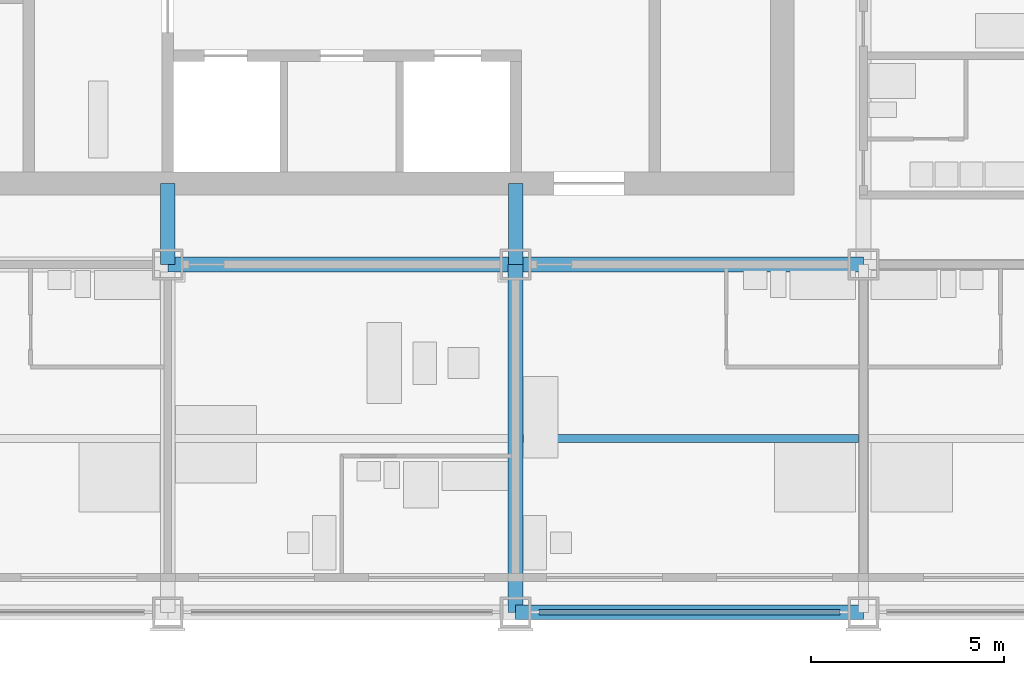
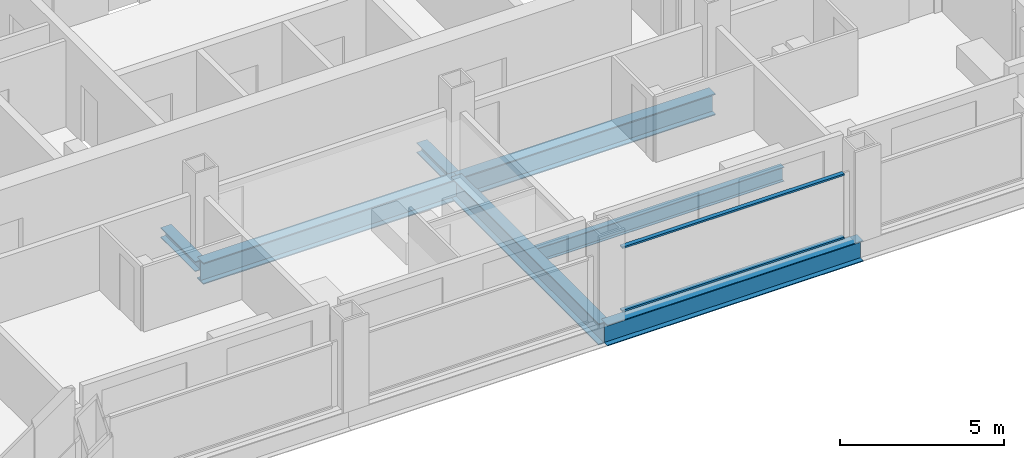
# One storey, part 3 of 13: 5 beams, 4 members, 1 element without a shape of its own.
"""IFC4 building model written with IfcOpenShell, lengths in metres."""

from ifc_helpers import new_model, si_unit, direction, frame, origin, origin_2d, place, context, subcontext, project, spatial, rectangle, i_section, extrude, material, material_profile, profile_set, type_object, element, aggregate, save


model = new_model("IFC4")

# Units and contexts
model_context = context("Model", 3, precision=1e-05, world=origin(), true_north=direction((0.0, 1.0)))
body_context = subcontext(model_context, "Body", "Model", "MODEL_VIEW")
ifc_project = project(units=[si_unit("LENGTHUNIT", "METRE"), si_unit("AREAUNIT", "SQUARE_METRE"), si_unit("VOLUMEUNIT", "CUBIC_METRE"), si_unit("PLANEANGLEUNIT", "RADIAN"), si_unit("MASSUNIT", "GRAM", prefix="KILO")], contexts=[model_context])

# Site, building, storey
site_placement = place(None, origin())
site = spatial("IfcSite", under=ifc_project, at=site_placement, CompositionType="ELEMENT")
building_placement = place(site_placement, origin())
building = spatial("IfcBuilding", under=site, at=building_placement, Name="Loomwork Tower", CompositionType="ELEMENT")
storey_placement = place(building_placement, frame((0.0, 0.0, 174.0)))
storey = spatial("IfcBuildingStorey", under=building, at=storey_placement, Name="L47", CompositionType="ELEMENT", Elevation=174.0)

# Beams
ifc_material_1 = material(Name="Steel ASTM A992", Category="steel")
ifc_material_profile_1 = material_profile(ifc_material_1, i_section(OverallWidth=0.383544921875, OverallDepth=0.794921875, WebThickness=0.02099609375, FlangeThickness=0.0380859375, at=origin_2d()), Name="W30x235")
ifc_profile_set_1 = profile_set([ifc_material_profile_1], Name="Steel ASTM A992")
beam_type_1 = type_object("IfcBeamType", Name="CORE FLANK GIRDER W30x235", PredefinedType="BEAM", material=ifc_profile_set_1)
for number, where, z_axis, x_axis, name in (
    (1, (18.0, 9.0, -0.597412109375), (1.0, 0.0, 0.0), (0.0, 1.0, 0.0), "Core Flank Girder E/4-E/5 L47"),
    (2, (27.0, 9.0, -0.597412109375), (1.0, 0.0, 0.0), (0.0, 1.0, 0.0), "Core Flank Girder E/5-E/6 L47"),
    (3, (27.0, 0.0, -0.597412109375), (0.0, 1.0, 0.0), (-1.0, 0.0, 0.0), "Core Flank Girder D/5-E/5 L47"),
):
    element("IfcBeam", number, at=place(storey_placement, frame(where, z_axis=z_axis, x_axis=x_axis)), inside=storey, type_object=beam_type_1, Name=name, PredefinedType="BEAM", context=body_context, shape_type="SweptSolid", body=[
        extrude(i_section(OverallWidth=0.383544921875, OverallDepth=0.794921875, WebThickness=0.02099609375, FlangeThickness=0.0380859375, at=origin_2d()), origin(), (0.0, 0.0, 1.0), 9.0),
    ])

# Members
ifc_material_2 = material(Name="Steel ASTM A992", Category="steel")
ifc_material_profile_2 = material_profile(ifc_material_2, i_section(OverallWidth=0.373291015625, OverallDepth=0.373291015625, WebThickness=0.016357421875, FlangeThickness=0.026123046875, at=origin_2d()), Name="W14x132")
ifc_profile_set_2 = profile_set([ifc_material_profile_2], Name="Steel ASTM A992")
member_type_1 = type_object("IfcMemberType", Name="CORE LINK STRUT W14x132", PredefinedType="STRUT", material=ifc_profile_set_2)
for number, where, z_axis, x_axis, name in (
    (4, (27.0, 9.0, -0.38671875), (0.0, 1.0, 0.0), (-1.0, 0.0, 0.0), "Core link strut E/5-27.000,11.100 L47"),
    (5, (18.0, 9.0, -0.38671875), (0.0, 1.0, 0.0), (-1.0, 0.0, 0.0), "Core link strut E/4-18.000,11.100 L47"),
):
    element("IfcMember", number, at=place(storey_placement, frame(where, z_axis=z_axis, x_axis=x_axis)), inside=storey, type_object=member_type_1, Name=name, PredefinedType="STRUT", context=body_context, shape_type="SweptSolid", body=[
        extrude(i_section(OverallWidth=0.373291015625, OverallDepth=0.373291015625, WebThickness=0.016357421875, FlangeThickness=0.026123046875, at=origin_2d()), origin(), (0.0, 0.0, 1.0), 2.10009765625),
    ])

# Beam
ifc_material_3 = material(Name="Steel ASTM A992", Category="steel")
ifc_material_profile_3 = material_profile(ifc_material_3, i_section(OverallWidth=0.2109375, OverallDepth=0.53857421875, WebThickness=0.011474609375, FlangeThickness=0.018798828125, at=origin_2d()), Name="W21x73")
ifc_profile_set_3 = profile_set([ifc_material_profile_3], Name="Steel ASTM A992")
beam_type_2 = type_object("IfcBeamType", Name="FLOOR JOIST W21x73", PredefinedType="JOIST", material=ifc_profile_set_3)
beam_1_placement = place(storey_placement, frame((27.19091796875, 4.5, -0.46923828125), z_axis=(1.0, 0.0, 0.0), x_axis=(0.0, 1.0, 0.0)))
element("IfcBeam", 6, at=beam_1_placement, inside=storey, type_object=beam_type_2, Name="Floor Joist 27.000,4.500-36.000,4.500 L47", PredefinedType="JOIST", context=body_context, shape_type="SweptSolid", body=[
    extrude(i_section(OverallWidth=0.2109375, OverallDepth=0.53857421875, WebThickness=0.011474609375, FlangeThickness=0.018798828125, at=origin_2d()), origin(), (0.0, 0.0, 1.0), 8.676025390625),
])

# Curtain wall, members
ifc_material_4 = material(Name="Aluminium curtain wall frame", Category="aluminium")
curtain_wall_type = type_object("IfcCurtainWallType", Name="Outer skin glazing hotel", PredefinedType="NOTDEFINED", material=ifc_material_4)
curtain_wall_placement = place(storey_placement, origin())
curtain_wall = element("IfcCurtainWall", 7, at=curtain_wall_placement, inside=storey, type_object=curtain_wall_type, Name="Outer skin glazing hotel cw/S-27", PredefinedType="NOTDEFINED")
ifc_material_5 = material(Name="Aluminium curtain wall frame", Category="aluminium")
ifc_material_profile_4 = material_profile(ifc_material_5, rectangle(XDim=0.14990234375, YDim=0.06494140625, at=origin_2d()), Name="AL 65x150")
ifc_profile_set_4 = profile_set([ifc_material_profile_4], Name="Aluminium curtain wall frame")
member_type_2 = type_object("IfcMemberType", Name="Outer skin glazing hotel transom", PredefinedType="USERDEFINED", material=ifc_profile_set_4)
member_1_placement = place(storey_placement, frame((27.60009765625, 0.0, 0.032470703125), z_axis=(1.0, 0.0, 0.0), x_axis=(0.0, 1.0, 0.0)))
member_1 = element("IfcMember", 8, at=member_1_placement, type_object=member_type_2, Name="CW1 transom 1.1", ObjectType="TRANSOM", PredefinedType="USERDEFINED", context=body_context, shape_type="SweptSolid", body=[
    extrude(rectangle(XDim=0.14990234375, YDim=0.06494140625, at=origin_2d()), origin(), (0.0, 0.0, 1.0), 7.7998046875),
])
member_2_placement = place(storey_placement, frame((27.60009765625, 0.0, 2.3876953125), z_axis=(1.0, 0.0, 0.0), x_axis=(0.0, 1.0, 0.0)))
member_2 = element("IfcMember", 9, at=member_2_placement, type_object=member_type_2, Name="CW1 transom 1.2", ObjectType="TRANSOM", PredefinedType="USERDEFINED", context=body_context, shape_type="SweptSolid", body=[
    extrude(rectangle(XDim=0.14990234375, YDim=0.06494140625, at=origin_2d()), origin(), (0.0, 0.0, 1.0), 7.7998046875),
])
aggregate(curtain_wall, [member_1, member_2])

# Beam
ifc_material_6 = material(Name="Steel ASTM A992", Category="steel")
ifc_material_profile_5 = material_profile(ifc_material_6, i_section(OverallWidth=0.381103515625, OverallDepth=0.77978515625, WebThickness=0.01806640625, FlangeThickness=0.0302734375, at=origin_2d()), Name="W30x191")
ifc_profile_set_5 = profile_set([ifc_material_profile_5], Name="Steel ASTM A992")
beam_type_3 = type_object("IfcBeamType", Name="SPANDREL GIRDER W30x191", PredefinedType="SPANDREL", material=ifc_profile_set_5)
beam_2_placement = place(storey_placement, frame((27.0, 0.0, -0.58984375), z_axis=(1.0, 0.0, 0.0), x_axis=(0.0, 1.0, 0.0)))
element("IfcBeam", 10, at=beam_2_placement, inside=storey, type_object=beam_type_3, Name="Spandrel Girder D/5-D/6 L47", PredefinedType="SPANDREL", context=body_context, shape_type="SweptSolid", body=[
    extrude(i_section(OverallWidth=0.381103515625, OverallDepth=0.77978515625, WebThickness=0.01806640625, FlangeThickness=0.0302734375, at=origin_2d()), origin(), (0.0, 0.0, 1.0), 9.0),
])

save(model, "model.ifc")
